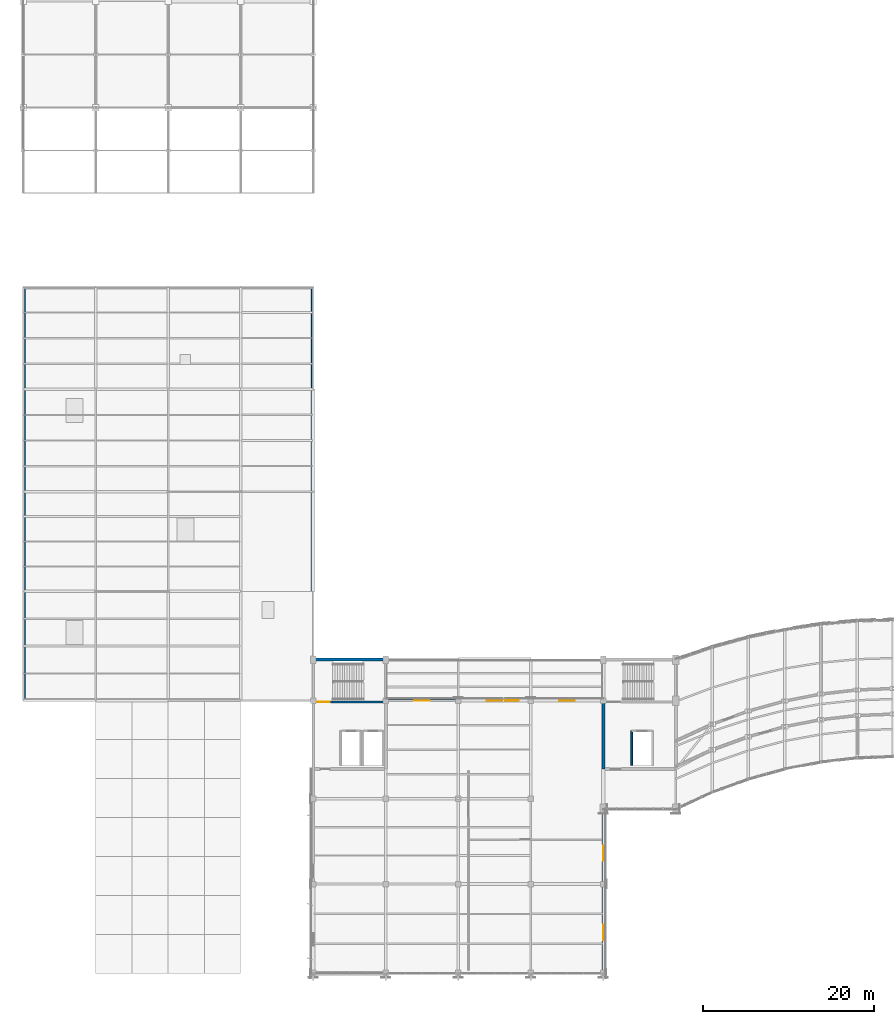
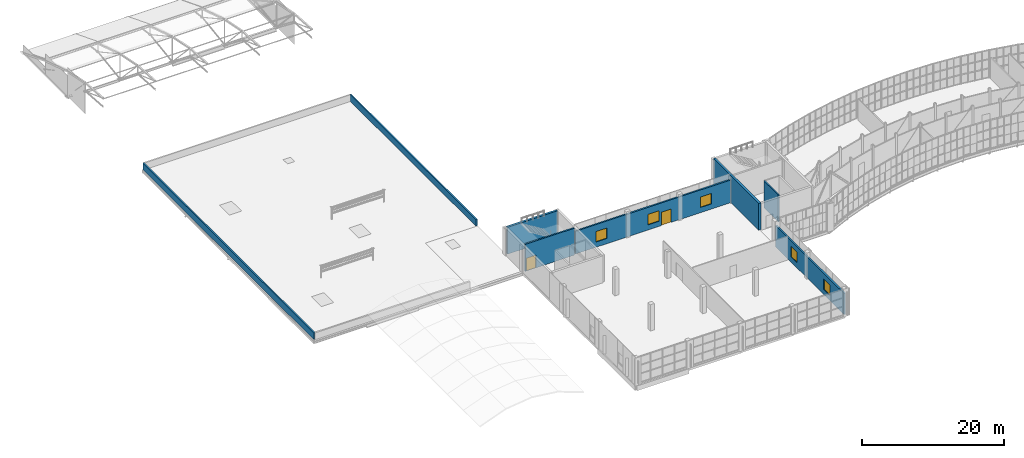
# One storey, part 53 of 66: 8 walls, 5 windows, 2 doors, 7 openings.
"""IFC4 building model written with IfcOpenShell, lengths in metres."""

from ifc_helpers import new_model, si_unit, direction, frame, frame_2d, origin, place, context, subcontext, project, spatial, rectangle, extrude, material, layer, layer_set, type_object, element, fill, save


model = new_model("IFC4")

# Units and contexts
model_context = context("Model", 3, precision=1e-05, world=origin(), true_north=direction((0.0, 1.0)))
body_context = subcontext(model_context, "Body", "Model", "MODEL_VIEW")
ifc_project = project(units=[si_unit("LENGTHUNIT", "METRE"), si_unit("AREAUNIT", "SQUARE_METRE"), si_unit("VOLUMEUNIT", "CUBIC_METRE"), si_unit("PLANEANGLEUNIT", "RADIAN"), si_unit("MASSUNIT", "GRAM", prefix="KILO")], contexts=[model_context])

# Site, building, storey
site_placement = place(None, origin())
site = spatial("IfcSite", under=ifc_project, at=site_placement, CompositionType="ELEMENT")
building_placement = place(site_placement, origin())
building = spatial("IfcBuilding", under=site, at=building_placement, Name="Solvikara Media Centre", CompositionType="ELEMENT")
storey_placement = place(building_placement, frame((0.0, 0.0, 19.800048828125)))
storey = spatial("IfcBuildingStorey", under=building, at=storey_placement, Name="L04", CompositionType="ELEMENT", Elevation=19.800048828125)

# Walls
ifc_material_1 = material(Name="Concrete fc' 45 MPa (C45/55)", Category="concrete")
ifc_layer_1 = layer(ifc_material_1, 0.35009765625)
ifc_layer_set_1 = layer_set([ifc_layer_1], Name="Concrete fc' 45 MPa (C45/55)")
wall_type_1 = type_object("IfcWallType", Name="WT-03", PredefinedType="SHEAR", material=ifc_layer_set_1)
wall_1_placement = place(storey_placement, frame((34.175048828125, 36.800048828125, 0.0), z_axis=(0.0, 0.0, 1.0), x_axis=(1.0, 0.0, 0.0)))
element("IfcWall", 1, at=wall_1_placement, inside=storey, type_object=wall_type_1, Name="CW-C2-L04-N", PredefinedType="SHEAR", context=body_context, shape_type="SweptSolid", body=[
    extrude(rectangle(XDim=8.14990234375, YDim=0.35009765625, at=frame_2d((4.074951171875, 0.0))), origin(), (0.0, 0.0, 1.0), 4.639892578125),
])
wall_2_placement = place(storey_placement, frame((68.0, 24.0, 0.0), z_axis=(0.0, 0.0, 1.0), x_axis=(0.0, 1.0, 0.0)))
element("IfcWall", 2, at=wall_2_placement, inside=storey, type_object=wall_type_1, Name="CW-C3-L04-W", PredefinedType="SHEAR", context=body_context, shape_type="SweptSolid", body=[
    extrude(rectangle(XDim=12.800048828125, YDim=0.35009765625, at=frame_2d((6.39990234375, 0.0))), origin(), (0.0, 0.0, 1.0), 4.639892578125),
])

# Wall, opening, door
ifc_layer_2 = layer(ifc_material_1, 0.25)
ifc_layer_set_2 = layer_set([ifc_layer_2], Name="Concrete fc' 45 MPa (C45/55)")
wall_type_2 = type_object("IfcWallType", Name="WT-07", PredefinedType="STANDARD", material=ifc_layer_set_2)
wall_3_placement = place(storey_placement, frame((34.25, 31.85009765625, 0.0), z_axis=(0.0, 0.0, 1.0), x_axis=(1.0, 0.0, 0.0)))
wall_3 = element("IfcWall", 3, at=wall_3_placement, inside=storey, type_object=wall_type_2, Name="CW-C2-L04-SD", PredefinedType="STANDARD", context=body_context, shape_type="SweptSolid", body=[
    extrude(rectangle(XDim=8.0, YDim=0.25, at=frame_2d((4.0, 0.0))), origin(), (0.0, 0.0, 1.0), 4.639892578125),
])
opening_1_placement = place(wall_3_placement, frame((0.199951171875, 0.0, 0.0)))
opening_1 = element("IfcOpeningElement", 4, at=opening_1_placement, cuts=wall_3, Name="Opening D-C2-L04-ST", PredefinedType="OPENING", context=body_context, shape_type="SweptSolid", body=[
    extrude(rectangle(XDim=1.5, YDim=2.199951171875, at=frame_2d((0.75, 1.10009765625))), frame((0.0, 0.136962890625, 0.0), z_axis=(0.0, -1.0, 0.0), x_axis=(1.0, 0.0, 0.0)), (0.0, 0.0, 1.0), 0.27392578125),
])
ifc_material_2 = material(Name="Insulated fire-rated steel door leaf", Category="steel")
door_type_1 = type_object("IfcDoorType", Name="DT-08", OperationType="DOUBLE_DOOR_SINGLE_SWING", PredefinedType="DOOR", material=ifc_material_2)
door_1_placement = place(opening_1_placement, frame((1.5, 0.0, 0.0), z_axis=(0.0, 0.0, 1.0), x_axis=(-1.0, 0.0, 0.0)))
door_1 = element("IfcDoor", 5, at=door_1_placement, inside=storey, type_object=door_type_1, Name="D-C2-L04-ST", OperationType="DOUBLE_DOOR_SINGLE_SWING", OverallHeight=2.199951171875, OverallWidth=1.5, PredefinedType="DOOR", context=body_context, shape_type="SweptSolid", body=[
    extrude(rectangle(XDim=1.5, YDim=2.199951171875, at=frame_2d((0.75, 1.10009765625))), frame((0.0, 0.02490234375, 0.0), z_axis=(0.0, -1.0, 0.0), x_axis=(1.0, 0.0, 0.0)), (0.0, 0.0, 1.0), 0.050048828125),
])
fill(opening_1, door_1)

# Wall, openings, windows
ifc_material_3 = material(Name="Precast concrete fc' 40 MPa (C40/50)", Category="concrete")
ifc_layer_3 = layer(ifc_material_3, 0.260009765625)
ifc_layer_set_3 = layer_set([ifc_layer_3], Name="Precast concrete fc' 40 MPa (C40/50)")
wall_type_3 = type_object("IfcWallType", Name="WT-12", PredefinedType="STANDARD", material=ifc_layer_set_3)
wall_4_placement = place(storey_placement, frame((68.0, 0.0, 0.0), z_axis=(0.0, 0.0, 1.0), x_axis=(0.0, 1.0, 0.0)))
wall_4 = element("IfcWall", 6, at=wall_4_placement, inside=storey, type_object=wall_type_3, Name="EW-L04-V6-E", PredefinedType="STANDARD", context=body_context, shape_type="SweptSolid", body=[
    extrude(rectangle(XDim=19.323974609375, YDim=0.260009765625, at=frame_2d((9.662109375, 0.0))), origin(), (0.0, 0.0, 1.0), 3.659912109375),
])
opening_2_placement = place(wall_4_placement, frame((3.930908203125, 0.0, 0.89990234375)))
opening_2 = element("IfcOpeningElement", 7, at=opening_2_placement, cuts=wall_4, Name="Opening W-L04-V6E-W01", PredefinedType="OPENING", context=body_context, shape_type="SweptSolid", body=[
    extrude(rectangle(XDim=1.800048828125, YDim=1.800048828125, at=frame_2d((0.89990234375, 0.89990234375))), frame((0.0, 0.14208984375, 0.0), z_axis=(0.0, -1.0, 0.0), x_axis=(1.0, 0.0, 0.0)), (0.0, 0.0, 1.0), 0.283935546875),
])
opening_3_placement = place(wall_4_placement, frame((13.212890625, 0.0, 0.89990234375)))
opening_3 = element("IfcOpeningElement", 8, at=opening_3_placement, cuts=wall_4, Name="Opening W-L04-V6E-W02", PredefinedType="OPENING", context=body_context, shape_type="SweptSolid", body=[
    extrude(rectangle(XDim=1.800048828125, YDim=1.800048828125, at=frame_2d((0.89990234375, 0.89990234375))), frame((0.0, 0.14208984375, 0.0), z_axis=(0.0, -1.0, 0.0), x_axis=(1.0, 0.0, 0.0)), (0.0, 0.0, 1.0), 0.283935546875),
])
ifc_material_4 = material(Name="Double-glazed low-E architectural glass", Category="glass")
window_type = type_object("IfcWindowType", Name="WN-03", PartitioningType="SINGLE_PANEL", PredefinedType="WINDOW", material=ifc_material_4)
window_1_placement = place(opening_2_placement, origin())
window_1 = element("IfcWindow", 9, at=window_1_placement, inside=storey, type_object=window_type, Name="W-L04-V6E-W01", OverallHeight=1.800048828125, OverallWidth=1.800048828125, PartitioningType="SINGLE_PANEL", PredefinedType="WINDOW", context=body_context, shape_type="SweptSolid", body=[
    extrude(rectangle(XDim=1.800048828125, YDim=1.800048828125, at=frame_2d((0.89990234375, 0.89990234375))), frame((0.0, 0.030029296875, 0.0), z_axis=(0.0, -1.0, 0.0), x_axis=(1.0, 0.0, 0.0)), (0.0, 0.0, 1.0), 0.06005859375),
])
fill(opening_2, window_1)
window_2_placement = place(opening_3_placement, origin())
window_2 = element("IfcWindow", 10, at=window_2_placement, inside=storey, type_object=window_type, Name="W-L04-V6E-W02", OverallHeight=1.800048828125, OverallWidth=1.800048828125, PartitioningType="SINGLE_PANEL", PredefinedType="WINDOW", context=body_context, shape_type="SweptSolid", body=[
    extrude(rectangle(XDim=1.800048828125, YDim=1.800048828125, at=frame_2d((0.89990234375, 0.89990234375))), frame((0.0, 0.030029296875, 0.0), z_axis=(0.0, -1.0, 0.0), x_axis=(1.0, 0.0, 0.0)), (0.0, 0.0, 1.0), 0.06005859375),
])
fill(opening_3, window_2)

# Wall, openings, door, windows
wall_5_placement = place(storey_placement, frame((42.5, 32.0, 0.0), z_axis=(0.0, 0.0, 1.0), x_axis=(1.0, 0.0, 0.0)))
wall_5 = element("IfcWall", 11, at=wall_5_placement, inside=storey, type_object=wall_type_3, Name="EW-L04-V6-N", PredefinedType="STANDARD", context=body_context, shape_type="SweptSolid", body=[
    extrude(rectangle(XDim=25.5, YDim=0.260009765625, at=frame_2d((12.75, 0.0))), origin(), (0.0, 0.0, 1.0), 3.9140625),
])
opening_4_placement = place(wall_5_placement, frame((14.0, 0.0, 0.0)))
opening_4 = element("IfcOpeningElement", 12, at=opening_4_placement, cuts=wall_5, Name="Opening TD-L04-V6N", PredefinedType="OPENING", context=body_context, shape_type="SweptSolid", body=[
    extrude(rectangle(XDim=1.60009765625, YDim=2.300048828125, at=frame_2d((0.800048828125, 1.14990234375))), frame((0.0, 0.14208984375, 0.0), z_axis=(0.0, -1.0, 0.0), x_axis=(1.0, 0.0, 0.0)), (0.0, 0.0, 1.0), 0.283935546875),
])
opening_5_placement = place(wall_5_placement, frame((3.35009765625, 0.0, 0.89990234375)))
opening_5 = element("IfcOpeningElement", 13, at=opening_5_placement, cuts=wall_5, Name="Opening W-L04-V6N-W01", PredefinedType="OPENING", context=body_context, shape_type="SweptSolid", body=[
    extrude(rectangle(XDim=1.800048828125, YDim=1.800048828125, at=frame_2d((0.89990234375, 0.89990234375))), frame((0.0, 0.14208984375, 0.0), z_axis=(0.0, -1.0, 0.0), x_axis=(1.0, 0.0, 0.0)), (0.0, 0.0, 1.0), 0.283935546875),
])
opening_6_placement = place(wall_5_placement, frame((11.85009765625, 0.0, 0.89990234375)))
opening_6 = element("IfcOpeningElement", 14, at=opening_6_placement, cuts=wall_5, Name="Opening W-L04-V6N-W02", PredefinedType="OPENING", context=body_context, shape_type="SweptSolid", body=[
    extrude(rectangle(XDim=1.800048828125, YDim=1.800048828125, at=frame_2d((0.89990234375, 0.89990234375))), frame((0.0, 0.14208984375, 0.0), z_axis=(0.0, -1.0, 0.0), x_axis=(1.0, 0.0, 0.0)), (0.0, 0.0, 1.0), 0.283935546875),
])
opening_7_placement = place(wall_5_placement, frame((20.35009765625, 0.0, 0.89990234375)))
opening_7 = element("IfcOpeningElement", 15, at=opening_7_placement, cuts=wall_5, Name="Opening W-L04-V6N-W03", PredefinedType="OPENING", context=body_context, shape_type="SweptSolid", body=[
    extrude(rectangle(XDim=1.800048828125, YDim=1.800048828125, at=frame_2d((0.89990234375, 0.89990234375))), frame((0.0, 0.14208984375, 0.0), z_axis=(0.0, -1.0, 0.0), x_axis=(1.0, 0.0, 0.0)), (0.0, 0.0, 1.0), 0.283935546875),
])
ifc_material_5 = material(Name="Anodised aluminium EN AW-6063", Category="aluminium")
door_type_2 = type_object("IfcDoorType", Name="DT-04", OperationType="DOUBLE_DOOR_SINGLE_SWING", PredefinedType="DOOR", material=ifc_material_5)
door_2_placement = place(opening_4_placement, origin())
door_2 = element("IfcDoor", 16, at=door_2_placement, inside=storey, type_object=door_type_2, Name="TD-L04-V6N", OperationType="DOUBLE_DOOR_SINGLE_SWING", OverallHeight=2.300048828125, OverallWidth=1.60009765625, PredefinedType="DOOR", context=body_context, shape_type="SweptSolid", body=[
    extrude(rectangle(XDim=1.60009765625, YDim=2.300048828125, at=frame_2d((0.800048828125, 1.14990234375))), frame((0.0, 0.02490234375, 0.0), z_axis=(0.0, -1.0, 0.0), x_axis=(1.0, 0.0, 0.0)), (0.0, 0.0, 1.0), 0.050048828125),
])
fill(opening_4, door_2)
window_3_placement = place(opening_5_placement, origin())
window_3 = element("IfcWindow", 17, at=window_3_placement, inside=storey, type_object=window_type, Name="W-L04-V6N-W01", OverallHeight=1.800048828125, OverallWidth=1.800048828125, PartitioningType="SINGLE_PANEL", PredefinedType="WINDOW", context=body_context, shape_type="SweptSolid", body=[
    extrude(rectangle(XDim=1.800048828125, YDim=1.800048828125, at=frame_2d((0.89990234375, 0.89990234375))), frame((0.0, 0.030029296875, 0.0), z_axis=(0.0, -1.0, 0.0), x_axis=(1.0, 0.0, 0.0)), (0.0, 0.0, 1.0), 0.06005859375),
])
fill(opening_5, window_3)
window_4_placement = place(opening_6_placement, origin())
window_4 = element("IfcWindow", 18, at=window_4_placement, inside=storey, type_object=window_type, Name="W-L04-V6N-W02", OverallHeight=1.800048828125, OverallWidth=1.800048828125, PartitioningType="SINGLE_PANEL", PredefinedType="WINDOW", context=body_context, shape_type="SweptSolid", body=[
    extrude(rectangle(XDim=1.800048828125, YDim=1.800048828125, at=frame_2d((0.89990234375, 0.89990234375))), frame((0.0, 0.030029296875, 0.0), z_axis=(0.0, -1.0, 0.0), x_axis=(1.0, 0.0, 0.0)), (0.0, 0.0, 1.0), 0.06005859375),
])
fill(opening_6, window_4)
window_5_placement = place(opening_7_placement, origin())
window_5 = element("IfcWindow", 19, at=window_5_placement, inside=storey, type_object=window_type, Name="W-L04-V6N-W03", OverallHeight=1.800048828125, OverallWidth=1.800048828125, PartitioningType="SINGLE_PANEL", PredefinedType="WINDOW", context=body_context, shape_type="SweptSolid", body=[
    extrude(rectangle(XDim=1.800048828125, YDim=1.800048828125, at=frame_2d((0.89990234375, 0.89990234375))), frame((0.0, 0.030029296875, 0.0), z_axis=(0.0, -1.0, 0.0), x_axis=(1.0, 0.0, 0.0)), (0.0, 0.0, 1.0), 0.06005859375),
])
fill(opening_7, window_5)

# Walls
ifc_layer_4 = layer(ifc_material_3, 0.22998046875)
ifc_layer_set_4 = layer_set([ifc_layer_4], Name="Precast concrete fc' 40 MPa (C40/50)")
wall_type_4 = type_object("IfcWallType", Name="WT-14", PredefinedType="PARAPET", material=ifc_layer_set_4)
wall_6_placement = place(storey_placement, frame((0.1201171875, 32.1201171875, 0.0), z_axis=(0.0, 0.0, 1.0), x_axis=(0.0, 1.0, 0.0)))
element("IfcWall", 20, at=wall_6_placement, inside=storey, type_object=wall_type_4, Name="PRP-L04-02", PredefinedType="PARAPET", context=body_context, shape_type="SweptSolid", body=[
    extrude(rectangle(XDim=48.259765625, YDim=0.22998046875, at=frame_2d((24.1298828125, 0.0))), origin(), (0.0, 0.0, 1.0), 1.14990234375),
])
wall_7_placement = place(storey_placement, frame((33.8798828125, 44.85009765625, 0.0), z_axis=(0.0, 0.0, 1.0), x_axis=(0.0, 1.0, 0.0)))
element("IfcWall", 21, at=wall_7_placement, inside=storey, type_object=wall_type_4, Name="PRP-L04-04", PredefinedType="PARAPET", context=body_context, shape_type="SweptSolid", body=[
    extrude(rectangle(XDim=35.52978515625, YDim=0.22998046875, at=frame_2d((17.764892578125, 0.0))), origin(), (0.0, 0.0, 1.0), 1.14990234375),
])
ifc_material_6 = material(Name="Fire-rated gypsum and mineral-wool shaft wall assembly")
ifc_layer_5 = layer(ifc_material_6, 0.2099609375)
ifc_layer_set_5 = layer_set([ifc_layer_5], Name="Fire-rated gypsum and mineral-wool shaft wall assembly")
wall_type_5 = type_object("IfcWallType", Name="WT-17", PredefinedType="PARTITIONING", material=ifc_layer_set_5)
wall_8_placement = place(storey_placement, frame((71.330078125, 24.39990234375, 0.0), z_axis=(0.0, 0.0, 1.0), x_axis=(0.0, 1.0, 0.0)))
element("IfcWall", 22, at=wall_8_placement, inside=storey, type_object=wall_type_5, Name="LW-LF-FF2-L04-W", PredefinedType="PARTITIONING", context=body_context, shape_type="SweptSolid", body=[
    extrude(rectangle(XDim=4.050048828125, YDim=0.2099609375, at=frame_2d((2.02490234375, 0.0))), origin(), (0.0, 0.0, 1.0), 4.639892578125),
])

save(model, "model.ifc")
